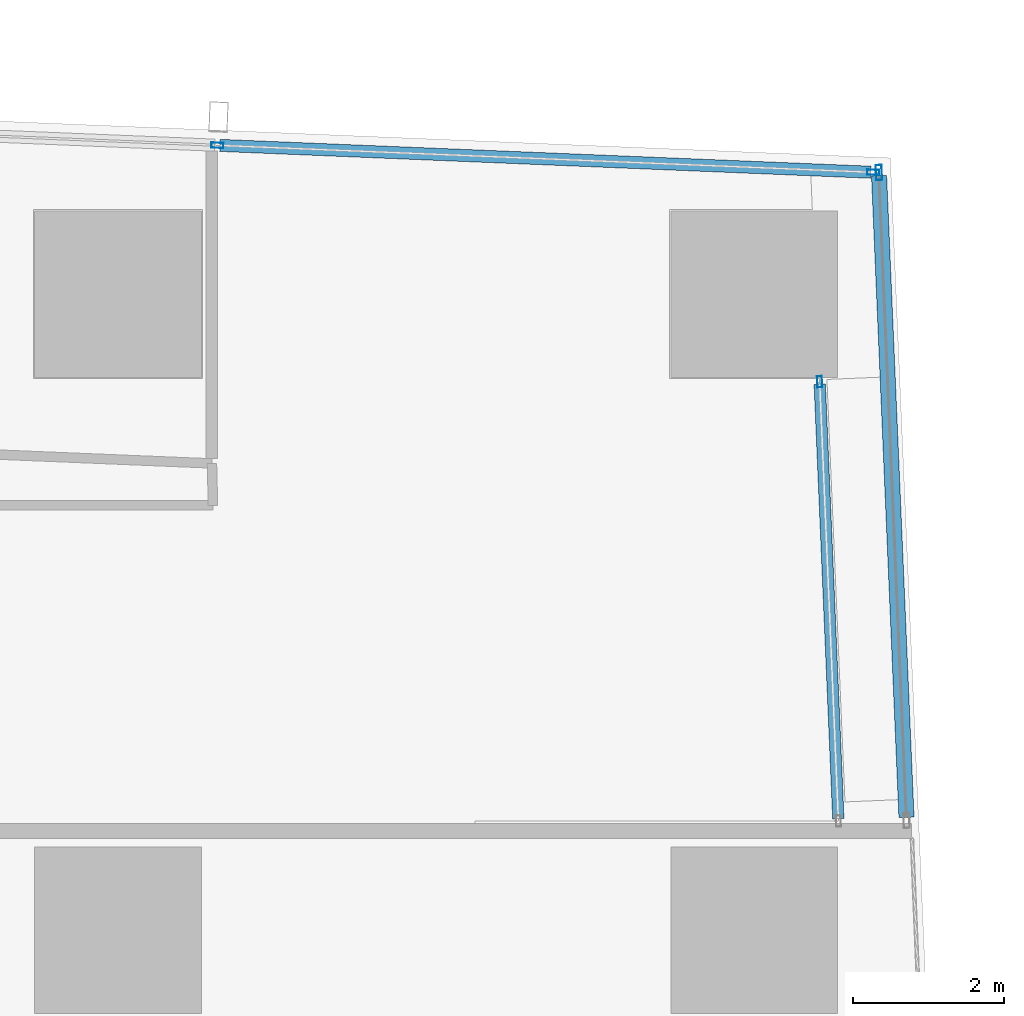
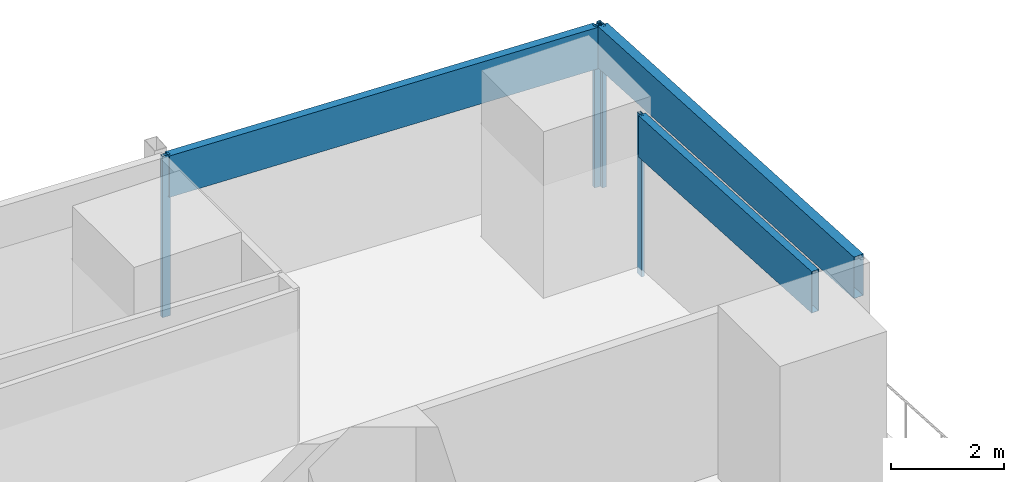
# One storey, part 23 of 42: 7 members, 3 elements without a shape of their own.
"""IFC4 building model written with IfcOpenShell, lengths in metres."""

from ifc_helpers import new_model, si_unit, direction, frame, origin, origin_2d, place, context, subcontext, project, spatial, hollow_rectangle, extrude, material, material_profile, profile_set, type_object, element, aggregate, save


model = new_model("IFC4")

# Units and contexts
model_context = context("Model", 3, precision=1e-05, world=origin(), true_north=direction((0.0, 1.0)))
body_context = subcontext(model_context, "Body", "Model", "MODEL_VIEW")
ifc_project = project(units=[si_unit("LENGTHUNIT", "METRE"), si_unit("AREAUNIT", "SQUARE_METRE"), si_unit("VOLUMEUNIT", "CUBIC_METRE"), si_unit("PLANEANGLEUNIT", "RADIAN"), si_unit("MASSUNIT", "GRAM", prefix="KILO")], contexts=[model_context])

# Site, building, storey
site_placement = place(None, origin())
site = spatial("IfcSite", under=ifc_project, at=site_placement, CompositionType="ELEMENT")
building_placement = place(site_placement, origin())
building = spatial("IfcBuilding", under=site, at=building_placement, Name="Rekha Terrace Tower", CompositionType="ELEMENT")
storey_placement = place(building_placement, frame((0.0, 0.0, 40.39990234375)))
storey = spatial("IfcBuildingStorey", under=building, at=storey_placement, Name="L09", CompositionType="ELEMENT", Elevation=40.39990234375)

# Curtain wall, members
ifc_material_1 = material(Name="Aluminium framing", Category="aluminium")
curtain_wall_type_1 = type_object("IfcCurtainWallType", Name="CW1 double skin inner glazing", PredefinedType="USERDEFINED", material=ifc_material_1)
curtain_wall_1_placement = place(storey_placement, origin())
curtain_wall_1 = element("IfcCurtainWall", 1, at=curtain_wall_1_placement, inside=storey, type_object=curtain_wall_type_1, Name="CW1 double skin inner glazing", ObjectType="DOUBLE SKIN INNER GLAZING", PredefinedType="USERDEFINED")
ifc_material_2 = material(Name="Aluminium mullion section", Category="aluminium")
ifc_material_profile_1 = material_profile(ifc_material_2, hollow_rectangle(XDim=0.06494140625, YDim=0.14990234375, WallThickness=0.00390625, at=origin_2d()), Name="AL RHS 65x150")
ifc_profile_set_1 = profile_set([ifc_material_profile_1], Name="Aluminium mullion section")
member_type_1 = type_object("IfcMemberType", Name="CW1 mullion RHS 65 x 150", PredefinedType="MULLION", material=ifc_profile_set_1)
member_1_placement = place(storey_placement, frame((68.0654296875, 57.6435546875, 0.0), z_axis=(0.0, 0.0, 1.0), x_axis=(-0.9990881069, -0.042696073026, 0.0)))
member_1 = element("IfcMember", 2, at=member_1_placement, type_object=member_type_1, Name="CW1 mullion 2", PredefinedType="MULLION", context=body_context, shape_type="SweptSolid", body=[
    extrude(hollow_rectangle(XDim=0.06494140625, YDim=0.14990234375, WallThickness=0.00390625, at=origin_2d()), origin(), (0.0, 0.0, 1.0), 3.5),
])
ifc_material_3 = material(Name="Insulated aluminium spandrel box", Category="aluminium")
ifc_material_profile_2 = material_profile(ifc_material_3, hollow_rectangle(XDim=0.14990234375, YDim=0.89990234375, WallThickness=0.0029296875, at=origin_2d()), Name="AL SPANDREL BOX 150x900")
ifc_profile_set_2 = profile_set([ifc_material_profile_2], Name="Insulated aluminium spandrel box")
member_type_2 = type_object("IfcMemberType", Name="CW1 spandrel transom 150 x 900", PredefinedType="USERDEFINED", material=ifc_profile_set_2)
member_2_placement = place(storey_placement, frame((68.31201171875, 51.875, 3.050048828125), z_axis=(-0.04273597926, 0.999086400707, 0.0), x_axis=(-0.999086400707, -0.04273597926, 0.0)))
member_2 = element("IfcMember", 3, at=member_2_placement, type_object=member_type_2, Name="CW1 spandrel transom 1", ObjectType="TRANSOM", PredefinedType="USERDEFINED", context=body_context, shape_type="SweptSolid", body=[
    extrude(hollow_rectangle(XDim=0.14990234375, YDim=0.89990234375, WallThickness=0.0029296875, at=origin_2d()), origin(), (0.0, 0.0, 1.0), 5.7412109375),
])
aggregate(curtain_wall_1, [member_1, member_2])

curtain_wall_type_2 = type_object("IfcCurtainWallType", Name="CW2 double skin outer glazing", PredefinedType="USERDEFINED", material=ifc_material_1)
curtain_wall_2_placement = place(storey_placement, origin())
curtain_wall_2 = element("IfcCurtainWall", 4, at=curtain_wall_2_placement, inside=storey, type_object=curtain_wall_type_2, Name="CW2 double skin outer glazing", ObjectType="DOUBLE SKIN OUTER GLAZING", PredefinedType="USERDEFINED")
ifc_material_profile_3 = material_profile(ifc_material_2, hollow_rectangle(XDim=0.080078125, YDim=0.199951171875, WallThickness=0.00390625, at=origin_2d()), Name="AL RHS 80x200")
ifc_profile_set_3 = profile_set([ifc_material_profile_3], Name="Aluminium mullion section")
member_type_3 = type_object("IfcMemberType", Name="CW2 mullion RHS 80 x 200", PredefinedType="MULLION", material=ifc_profile_set_3)
member_3_placement = place(storey_placement, frame((68.84814453125, 60.40625, 0.0), z_axis=(0.0, 0.0, 1.0), x_axis=(-0.999088106903, -0.042696072956, 0.0)))
member_3 = element("IfcMember", 5, at=member_3_placement, type_object=member_type_3, Name="CW2 mullion 2", PredefinedType="MULLION", context=body_context, shape_type="SweptSolid", body=[
    extrude(hollow_rectangle(XDim=0.080078125, YDim=0.199951171875, WallThickness=0.00390625, at=origin_2d()), origin(), (0.0, 0.0, 1.0), 3.5),
])
ifc_material_profile_4 = material_profile(ifc_material_3, hollow_rectangle(XDim=0.199951171875, YDim=0.89990234375, WallThickness=0.0029296875, at=origin_2d()), Name="AL SPANDREL BOX 200x900")
ifc_profile_set_4 = profile_set([ifc_material_profile_4], Name="Insulated aluminium spandrel box")
member_type_4 = type_object("IfcMemberType", Name="CW2 spandrel transom 200 x 900", PredefinedType="USERDEFINED", material=ifc_profile_set_4)
member_4_placement = place(storey_placement, frame((69.212158203125, 51.889892578125, 3.050048828125), z_axis=(-0.042704174567, 0.999087760647, 0.0), x_axis=(-0.999087760647, -0.042704174567, 0.0)))
member_4 = element("IfcMember", 6, at=member_4_placement, type_object=member_type_4, Name="CW2 spandrel transom 1", ObjectType="TRANSOM", PredefinedType="USERDEFINED", context=body_context, shape_type="SweptSolid", body=[
    extrude(hollow_rectangle(XDim=0.199951171875, YDim=0.89990234375, WallThickness=0.0029296875, at=origin_2d()), origin(), (0.0, 0.0, 1.0), 8.484130859375),
])
aggregate(curtain_wall_2, [member_3, member_4])

curtain_wall_type_3 = type_object("IfcCurtainWallType", Name="CW3 north unitised glazing", PredefinedType="USERDEFINED", material=ifc_material_1)
curtain_wall_3_placement = place(storey_placement, origin())
curtain_wall_3 = element("IfcCurtainWall", 7, at=curtain_wall_3_placement, inside=storey, type_object=curtain_wall_type_3, Name="CW3 unitised curtain wall", ObjectType="UNITISED CURTAIN WALL", PredefinedType="USERDEFINED")
ifc_material_profile_5 = material_profile(ifc_material_2, hollow_rectangle(XDim=0.070068359375, YDim=0.159912109375, WallThickness=0.00390625, at=origin_2d()), Name="AL RHS 70x160")
ifc_profile_set_5 = profile_set([ifc_material_profile_5], Name="Aluminium mullion section")
member_type_5 = type_object("IfcMemberType", Name="CW3 mullion RHS 70 x 160", PredefinedType="MULLION", material=ifc_profile_set_5)
member_5_placement = place(storey_placement, frame((68.77294921875, 60.4091796875, 0.0), z_axis=(0.0, 0.0, 1.0), x_axis=(-0.041173846041, -0.999151997647, 0.0)))
member_5 = element("IfcMember", 8, at=member_5_placement, type_object=member_type_5, Name="CW3 mullion 1", PredefinedType="MULLION", context=body_context, shape_type="SweptSolid", body=[
    extrude(hollow_rectangle(XDim=0.070068359375, YDim=0.159912109375, WallThickness=0.00390625, at=origin_2d()), origin(), (0.0, 0.0, 1.0), 3.5),
])
member_6_placement = place(storey_placement, frame((60.111572265625, 60.76611328125, 0.0), z_axis=(0.0, 0.0, 1.0), x_axis=(-0.041173846041, -0.999151997647, 0.0)))
member_6 = element("IfcMember", 9, at=member_6_placement, type_object=member_type_5, Name="CW3 mullion 2", PredefinedType="MULLION", context=body_context, shape_type="SweptSolid", body=[
    extrude(hollow_rectangle(XDim=0.070068359375, YDim=0.159912109375, WallThickness=0.00390625, at=origin_2d()), origin(), (0.0, 0.0, 1.0), 3.5),
])
ifc_material_profile_6 = material_profile(ifc_material_3, hollow_rectangle(XDim=0.159912109375, YDim=0.89990234375, WallThickness=0.0029296875, at=origin_2d()), Name="AL SPANDREL BOX 160x900")
ifc_profile_set_6 = profile_set([ifc_material_profile_6], Name="Insulated aluminium spandrel box")
member_type_6 = type_object("IfcMemberType", Name="CW3 spandrel transom 160 x 900", PredefinedType="USERDEFINED", material=ifc_profile_set_6)
member_7_placement = place(storey_placement, frame((68.738037109375, 60.41064453125, 3.050048828125), z_axis=(-0.99915220621, 0.041168784604, 0.0), x_axis=(-0.041168784604, -0.99915220621, 0.0)))
member_7 = element("IfcMember", 10, at=member_7_placement, type_object=member_type_6, Name="CW3 spandrel transom 1", ObjectType="TRANSOM", PredefinedType="USERDEFINED", context=body_context, shape_type="SweptSolid", body=[
    extrude(hollow_rectangle(XDim=0.159912109375, YDim=0.89990234375, WallThickness=0.0029296875, at=origin_2d()), origin(), (0.0, 0.0, 1.0), 8.598876953125),
])
aggregate(curtain_wall_3, [member_5, member_6, member_7])

save(model, "model.ifc")
